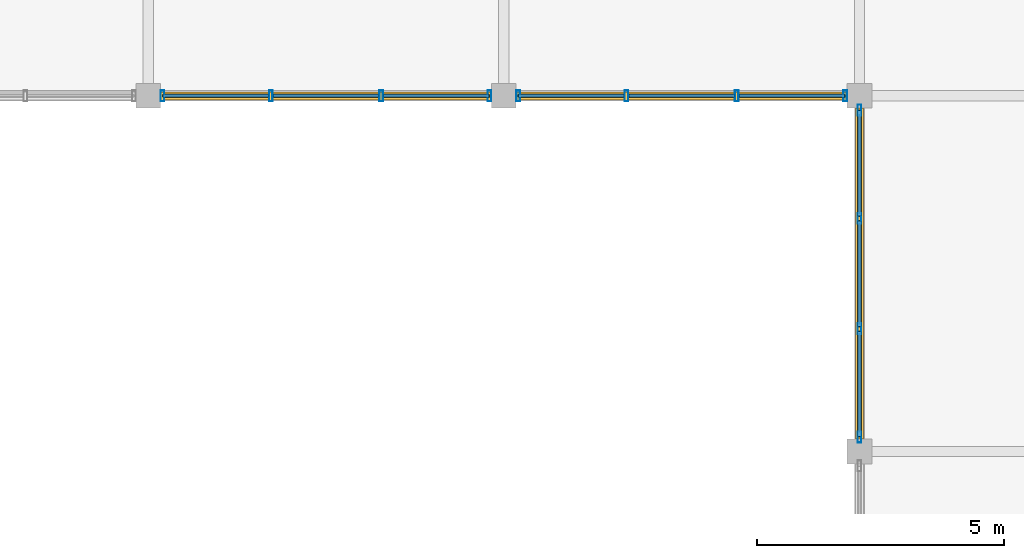
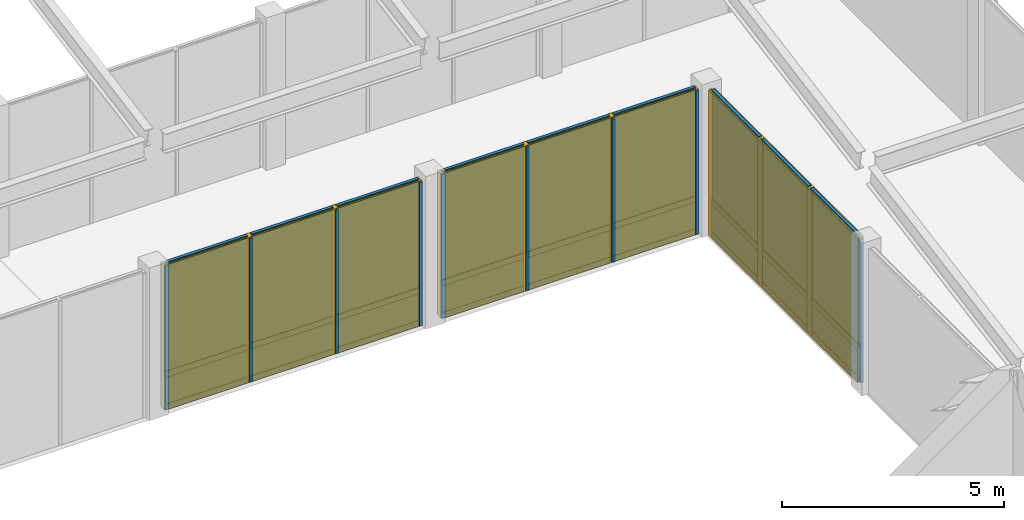
# One storey, part 11 of 16: 39 members, 18 plates, 3 curtain walls.
"""IFC4 building model written with IfcOpenShell, lengths in metres."""

from ifc_helpers import new_model, si_unit, direction, frame, origin, origin_2d, place, context, subcontext, project, spatial, rectangle, hollow_rectangle, extrude, material, layer, layer_set, material_profile, profile_set, type_object, element, aggregate, save


model = new_model("IFC4")

# Units and contexts
model_context = context("Model", 3, precision=1e-05, world=origin(), true_north=direction((0.0, 1.0)))
body_context = subcontext(model_context, "Body", "Model", "MODEL_VIEW")
ifc_project = project(units=[si_unit("LENGTHUNIT", "METRE"), si_unit("AREAUNIT", "SQUARE_METRE"), si_unit("VOLUMEUNIT", "CUBIC_METRE"), si_unit("PLANEANGLEUNIT", "RADIAN"), si_unit("MASSUNIT", "GRAM", prefix="KILO")], contexts=[model_context])

# Member
ifc_material_1 = material(Name="Anodized Aluminium 6063-T6", Category="aluminium")
ifc_material_profile_1 = material_profile(ifc_material_1, hollow_rectangle(XDim=0.074951171875, YDim=0.219970703125, WallThickness=0.0048828125, at=origin_2d()), Name="ALU 75x220x5")
ifc_profile_set_1 = profile_set([ifc_material_profile_1], Name="Anodized Aluminium 6063-T6")
member_type_1 = type_object("IfcMemberType", Name="CWM-75X180", PredefinedType="MULLION", material=ifc_profile_set_1)
site_placement = place(None, origin())
building_placement = place(site_placement, origin())
storey_placement = place(building_placement, frame((0.0, 0.0, 25.800048828125)))
member_1_placement = place(storey_placement, frame((86.110107421875, 108.0, 0.02001953125), z_axis=(0.0, 0.0, 1.0), x_axis=(1.0, 0.0, 0.0)))
member_1 = element("IfcMember", 1, at=member_1_placement, type_object=member_type_1, Name="Curtain wall mullion CW-L07-11-15-S-00", PredefinedType="MULLION", context=body_context, shape_type="SweptSolid", body=[
    extrude(hollow_rectangle(XDim=0.074951171875, YDim=0.219970703125, WallThickness=0.0048828125, at=origin_2d()), origin(), (0.0, 0.0, 1.0), 3.9599609375),
])

member_2_placement = place(storey_placement, frame((83.916748046875, 108.0, 0.02001953125), z_axis=(0.0, 0.0, 1.0), x_axis=(1.0, 0.0, 0.0)))
member_2 = element("IfcMember", 2, at=member_2_placement, type_object=member_type_1, Name="Curtain wall mullion CW-L07-11-15-S-01", PredefinedType="MULLION", context=body_context, shape_type="SweptSolid", body=[
    extrude(hollow_rectangle(XDim=0.074951171875, YDim=0.219970703125, WallThickness=0.0048828125, at=origin_2d()), origin(), (0.0, 0.0, 1.0), 3.9599609375),
])

member_3_placement = place(storey_placement, frame((81.683349609375, 108.0, 0.02001953125), z_axis=(0.0, 0.0, 1.0), x_axis=(1.0, 0.0, 0.0)))
member_3 = element("IfcMember", 3, at=member_3_placement, type_object=member_type_1, Name="Curtain wall mullion CW-L07-11-15-S-02", PredefinedType="MULLION", context=body_context, shape_type="SweptSolid", body=[
    extrude(hollow_rectangle(XDim=0.074951171875, YDim=0.219970703125, WallThickness=0.0048828125, at=origin_2d()), origin(), (0.0, 0.0, 1.0), 3.9599609375),
])

member_4_placement = place(storey_placement, frame((79.489990234375, 108.0, 0.02001953125), z_axis=(0.0, 0.0, 1.0), x_axis=(1.0, 0.0, 0.0)))
member_4 = element("IfcMember", 4, at=member_4_placement, type_object=member_type_1, Name="Curtain wall mullion CW-L07-11-15-S-03", PredefinedType="MULLION", context=body_context, shape_type="SweptSolid", body=[
    extrude(hollow_rectangle(XDim=0.074951171875, YDim=0.219970703125, WallThickness=0.0048828125, at=origin_2d()), origin(), (0.0, 0.0, 1.0), 3.9599609375),
])

member_5_placement = place(storey_placement, frame((93.31005859375, 108.0, 0.02001953125), z_axis=(0.0, 0.0, 1.0), x_axis=(1.0, 0.0, 0.0)))
member_5 = element("IfcMember", 5, at=member_5_placement, type_object=member_type_1, Name="Curtain wall mullion CW-L07-12-15-S-00", PredefinedType="MULLION", context=body_context, shape_type="SweptSolid", body=[
    extrude(hollow_rectangle(XDim=0.074951171875, YDim=0.219970703125, WallThickness=0.0048828125, at=origin_2d()), origin(), (0.0, 0.0, 1.0), 3.9599609375),
])

member_6_placement = place(storey_placement, frame((91.11669921875, 108.0, 0.02001953125), z_axis=(0.0, 0.0, 1.0), x_axis=(1.0, 0.0, 0.0)))
member_6 = element("IfcMember", 6, at=member_6_placement, type_object=member_type_1, Name="Curtain wall mullion CW-L07-12-15-S-01", PredefinedType="MULLION", context=body_context, shape_type="SweptSolid", body=[
    extrude(hollow_rectangle(XDim=0.074951171875, YDim=0.219970703125, WallThickness=0.0048828125, at=origin_2d()), origin(), (0.0, 0.0, 1.0), 3.9599609375),
])

member_7_placement = place(storey_placement, frame((88.88330078125, 108.0, 0.02001953125), z_axis=(0.0, 0.0, 1.0), x_axis=(1.0, 0.0, 0.0)))
member_7 = element("IfcMember", 7, at=member_7_placement, type_object=member_type_1, Name="Curtain wall mullion CW-L07-12-15-S-02", PredefinedType="MULLION", context=body_context, shape_type="SweptSolid", body=[
    extrude(hollow_rectangle(XDim=0.074951171875, YDim=0.219970703125, WallThickness=0.0048828125, at=origin_2d()), origin(), (0.0, 0.0, 1.0), 3.9599609375),
])

member_8_placement = place(storey_placement, frame((86.68994140625, 108.0, 0.02001953125), z_axis=(0.0, 0.0, 1.0), x_axis=(1.0, 0.0, 0.0)))
member_8 = element("IfcMember", 8, at=member_8_placement, type_object=member_type_1, Name="Curtain wall mullion CW-L07-12-15-S-03", PredefinedType="MULLION", context=body_context, shape_type="SweptSolid", body=[
    extrude(hollow_rectangle(XDim=0.074951171875, YDim=0.219970703125, WallThickness=0.0048828125, at=origin_2d()), origin(), (0.0, 0.0, 1.0), 3.9599609375),
])

member_9_placement = place(storey_placement, frame((93.60009765625, 101.090087890625, 0.02001953125), z_axis=(0.0, 0.0, 1.0), x_axis=(1.0, 0.0, 0.0)))
member_9 = element("IfcMember", 9, at=member_9_placement, type_object=member_type_1, Name="Curtain wall mullion CW-L07-13-14-W-00", PredefinedType="MULLION", context=body_context, shape_type="SweptSolid", body=[
    extrude(hollow_rectangle(XDim=0.074951171875, YDim=0.219970703125, WallThickness=0.0048828125, at=origin_2d()), origin(), (0.0, 0.0, 1.0), 3.9599609375),
])

member_10_placement = place(storey_placement, frame((93.60009765625, 103.283203125, 0.02001953125), z_axis=(0.0, 0.0, 1.0), x_axis=(1.0, 0.0, 0.0)))
member_10 = element("IfcMember", 10, at=member_10_placement, type_object=member_type_1, Name="Curtain wall mullion CW-L07-13-14-W-01", PredefinedType="MULLION", context=body_context, shape_type="SweptSolid", body=[
    extrude(hollow_rectangle(XDim=0.074951171875, YDim=0.219970703125, WallThickness=0.0048828125, at=origin_2d()), origin(), (0.0, 0.0, 1.0), 3.9599609375),
])

member_11_placement = place(storey_placement, frame((93.60009765625, 105.5166015625, 0.02001953125), z_axis=(0.0, 0.0, 1.0), x_axis=(1.0, 0.0, 0.0)))
member_11 = element("IfcMember", 11, at=member_11_placement, type_object=member_type_1, Name="Curtain wall mullion CW-L07-13-14-W-02", PredefinedType="MULLION", context=body_context, shape_type="SweptSolid", body=[
    extrude(hollow_rectangle(XDim=0.074951171875, YDim=0.219970703125, WallThickness=0.0048828125, at=origin_2d()), origin(), (0.0, 0.0, 1.0), 3.9599609375),
])

member_12_placement = place(storey_placement, frame((93.60009765625, 107.7099609375, 0.02001953125), z_axis=(0.0, 0.0, 1.0), x_axis=(1.0, 0.0, 0.0)))
member_12 = element("IfcMember", 12, at=member_12_placement, type_object=member_type_1, Name="Curtain wall mullion CW-L07-13-14-W-03", PredefinedType="MULLION", context=body_context, shape_type="SweptSolid", body=[
    extrude(hollow_rectangle(XDim=0.074951171875, YDim=0.219970703125, WallThickness=0.0048828125, at=origin_2d()), origin(), (0.0, 0.0, 1.0), 3.9599609375),
])

ifc_material_profile_2 = material_profile(ifc_material_1, hollow_rectangle(XDim=0.074951171875, YDim=0.159912109375, WallThickness=0.00390625, at=origin_2d()), Name="ALU 75x160x4")
ifc_profile_set_2 = profile_set([ifc_material_profile_2], Name="Anodized Aluminium 6063-T6")
member_type_2 = type_object("IfcMemberType", Name="CWT-75X150", PredefinedType="USERDEFINED", material=ifc_profile_set_2)
member_13_placement = place(storey_placement, frame((86.10009765625, 108.0, 0.050048828125), z_axis=(-1.0, 0.0, 0.0), x_axis=(0.0, -1.0, 0.0)))
member_13 = element("IfcMember", 13, at=member_13_placement, type_object=member_type_2, Name="Curtain wall transom CW-L07-11-15-S-1.01", ObjectType="TRANSOM", PredefinedType="USERDEFINED", context=body_context, shape_type="SweptSolid", body=[
    extrude(hollow_rectangle(XDim=0.074951171875, YDim=0.159912109375, WallThickness=0.00390625, at=origin_2d()), origin(), (0.0, 0.0, 1.0), 2.13330078125),
])

member_14_placement = place(storey_placement, frame((83.86669921875, 108.0, 0.050048828125), z_axis=(-1.0, 0.0, 0.0), x_axis=(0.0, -1.0, 0.0)))
member_14 = element("IfcMember", 14, at=member_14_placement, type_object=member_type_2, Name="Curtain wall transom CW-L07-11-15-S-1.02", ObjectType="TRANSOM", PredefinedType="USERDEFINED", context=body_context, shape_type="SweptSolid", body=[
    extrude(hollow_rectangle(XDim=0.074951171875, YDim=0.159912109375, WallThickness=0.00390625, at=origin_2d()), origin(), (0.0, 0.0, 1.0), 2.13330078125),
])

member_15_placement = place(storey_placement, frame((81.63330078125, 108.0, 0.050048828125), z_axis=(-1.0, 0.0, 0.0), x_axis=(0.0, -1.0, 0.0)))
member_15 = element("IfcMember", 15, at=member_15_placement, type_object=member_type_2, Name="Curtain wall transom CW-L07-11-15-S-1.03", ObjectType="TRANSOM", PredefinedType="USERDEFINED", context=body_context, shape_type="SweptSolid", body=[
    extrude(hollow_rectangle(XDim=0.074951171875, YDim=0.159912109375, WallThickness=0.00390625, at=origin_2d()), origin(), (0.0, 0.0, 1.0), 2.13330078125),
])

member_16_placement = place(storey_placement, frame((86.10009765625, 108.0, 0.949951171875), z_axis=(-1.0, 0.0, 0.0), x_axis=(0.0, -1.0, 0.0)))
member_16 = element("IfcMember", 16, at=member_16_placement, type_object=member_type_2, Name="Curtain wall transom CW-L07-11-15-S-2.01", ObjectType="TRANSOM", PredefinedType="USERDEFINED", context=body_context, shape_type="SweptSolid", body=[
    extrude(hollow_rectangle(XDim=0.074951171875, YDim=0.159912109375, WallThickness=0.00390625, at=origin_2d()), origin(), (0.0, 0.0, 1.0), 2.13330078125),
])

member_17_placement = place(storey_placement, frame((83.86669921875, 108.0, 0.949951171875), z_axis=(-1.0, 0.0, 0.0), x_axis=(0.0, -1.0, 0.0)))
member_17 = element("IfcMember", 17, at=member_17_placement, type_object=member_type_2, Name="Curtain wall transom CW-L07-11-15-S-2.02", ObjectType="TRANSOM", PredefinedType="USERDEFINED", context=body_context, shape_type="SweptSolid", body=[
    extrude(hollow_rectangle(XDim=0.074951171875, YDim=0.159912109375, WallThickness=0.00390625, at=origin_2d()), origin(), (0.0, 0.0, 1.0), 2.13330078125),
])

member_18_placement = place(storey_placement, frame((81.63330078125, 108.0, 0.949951171875), z_axis=(-1.0, 0.0, 0.0), x_axis=(0.0, -1.0, 0.0)))
member_18 = element("IfcMember", 18, at=member_18_placement, type_object=member_type_2, Name="Curtain wall transom CW-L07-11-15-S-2.03", ObjectType="TRANSOM", PredefinedType="USERDEFINED", context=body_context, shape_type="SweptSolid", body=[
    extrude(hollow_rectangle(XDim=0.074951171875, YDim=0.159912109375, WallThickness=0.00390625, at=origin_2d()), origin(), (0.0, 0.0, 1.0), 2.13330078125),
])

member_19_placement = place(storey_placement, frame((86.10009765625, 108.0, 3.949951171875), z_axis=(-1.0, 0.0, 0.0), x_axis=(0.0, -1.0, 0.0)))
member_19 = element("IfcMember", 19, at=member_19_placement, type_object=member_type_2, Name="Curtain wall transom CW-L07-11-15-S-3.01", ObjectType="TRANSOM", PredefinedType="USERDEFINED", context=body_context, shape_type="SweptSolid", body=[
    extrude(hollow_rectangle(XDim=0.074951171875, YDim=0.159912109375, WallThickness=0.00390625, at=origin_2d()), origin(), (0.0, 0.0, 1.0), 2.13330078125),
])

member_20_placement = place(storey_placement, frame((83.86669921875, 108.0, 3.949951171875), z_axis=(-1.0, 0.0, 0.0), x_axis=(0.0, -1.0, 0.0)))
member_20 = element("IfcMember", 20, at=member_20_placement, type_object=member_type_2, Name="Curtain wall transom CW-L07-11-15-S-3.02", ObjectType="TRANSOM", PredefinedType="USERDEFINED", context=body_context, shape_type="SweptSolid", body=[
    extrude(hollow_rectangle(XDim=0.074951171875, YDim=0.159912109375, WallThickness=0.00390625, at=origin_2d()), origin(), (0.0, 0.0, 1.0), 2.13330078125),
])

member_21_placement = place(storey_placement, frame((81.63330078125, 108.0, 3.949951171875), z_axis=(-1.0, 0.0, 0.0), x_axis=(0.0, -1.0, 0.0)))
member_21 = element("IfcMember", 21, at=member_21_placement, type_object=member_type_2, Name="Curtain wall transom CW-L07-11-15-S-3.03", ObjectType="TRANSOM", PredefinedType="USERDEFINED", context=body_context, shape_type="SweptSolid", body=[
    extrude(hollow_rectangle(XDim=0.074951171875, YDim=0.159912109375, WallThickness=0.00390625, at=origin_2d()), origin(), (0.0, 0.0, 1.0), 2.13330078125),
])

member_22_placement = place(storey_placement, frame((93.300048828125, 108.0, 0.050048828125), z_axis=(-1.0, 0.0, 0.0), x_axis=(0.0, -1.0, 0.0)))
member_22 = element("IfcMember", 22, at=member_22_placement, type_object=member_type_2, Name="Curtain wall transom CW-L07-12-15-S-1.01", ObjectType="TRANSOM", PredefinedType="USERDEFINED", context=body_context, shape_type="SweptSolid", body=[
    extrude(hollow_rectangle(XDim=0.074951171875, YDim=0.159912109375, WallThickness=0.00390625, at=origin_2d()), origin(), (0.0, 0.0, 1.0), 2.13330078125),
])

member_23_placement = place(storey_placement, frame((91.066650390625, 108.0, 0.050048828125), z_axis=(-1.0, 0.0, 0.0), x_axis=(0.0, -1.0, 0.0)))
member_23 = element("IfcMember", 23, at=member_23_placement, type_object=member_type_2, Name="Curtain wall transom CW-L07-12-15-S-1.02", ObjectType="TRANSOM", PredefinedType="USERDEFINED", context=body_context, shape_type="SweptSolid", body=[
    extrude(hollow_rectangle(XDim=0.074951171875, YDim=0.159912109375, WallThickness=0.00390625, at=origin_2d()), origin(), (0.0, 0.0, 1.0), 2.13330078125),
])

member_24_placement = place(storey_placement, frame((88.833251953125, 108.0, 0.050048828125), z_axis=(-1.0, 0.0, 0.0), x_axis=(0.0, -1.0, 0.0)))
member_24 = element("IfcMember", 24, at=member_24_placement, type_object=member_type_2, Name="Curtain wall transom CW-L07-12-15-S-1.03", ObjectType="TRANSOM", PredefinedType="USERDEFINED", context=body_context, shape_type="SweptSolid", body=[
    extrude(hollow_rectangle(XDim=0.074951171875, YDim=0.159912109375, WallThickness=0.00390625, at=origin_2d()), origin(), (0.0, 0.0, 1.0), 2.13330078125),
])

member_25_placement = place(storey_placement, frame((93.300048828125, 108.0, 0.949951171875), z_axis=(-1.0, 0.0, 0.0), x_axis=(0.0, -1.0, 0.0)))
member_25 = element("IfcMember", 25, at=member_25_placement, type_object=member_type_2, Name="Curtain wall transom CW-L07-12-15-S-2.01", ObjectType="TRANSOM", PredefinedType="USERDEFINED", context=body_context, shape_type="SweptSolid", body=[
    extrude(hollow_rectangle(XDim=0.074951171875, YDim=0.159912109375, WallThickness=0.00390625, at=origin_2d()), origin(), (0.0, 0.0, 1.0), 2.13330078125),
])

member_26_placement = place(storey_placement, frame((91.066650390625, 108.0, 0.949951171875), z_axis=(-1.0, 0.0, 0.0), x_axis=(0.0, -1.0, 0.0)))
member_26 = element("IfcMember", 26, at=member_26_placement, type_object=member_type_2, Name="Curtain wall transom CW-L07-12-15-S-2.02", ObjectType="TRANSOM", PredefinedType="USERDEFINED", context=body_context, shape_type="SweptSolid", body=[
    extrude(hollow_rectangle(XDim=0.074951171875, YDim=0.159912109375, WallThickness=0.00390625, at=origin_2d()), origin(), (0.0, 0.0, 1.0), 2.13330078125),
])

member_27_placement = place(storey_placement, frame((88.833251953125, 108.0, 0.949951171875), z_axis=(-1.0, 0.0, 0.0), x_axis=(0.0, -1.0, 0.0)))
member_27 = element("IfcMember", 27, at=member_27_placement, type_object=member_type_2, Name="Curtain wall transom CW-L07-12-15-S-2.03", ObjectType="TRANSOM", PredefinedType="USERDEFINED", context=body_context, shape_type="SweptSolid", body=[
    extrude(hollow_rectangle(XDim=0.074951171875, YDim=0.159912109375, WallThickness=0.00390625, at=origin_2d()), origin(), (0.0, 0.0, 1.0), 2.13330078125),
])

member_28_placement = place(storey_placement, frame((93.300048828125, 108.0, 3.949951171875), z_axis=(-1.0, 0.0, 0.0), x_axis=(0.0, -1.0, 0.0)))
member_28 = element("IfcMember", 28, at=member_28_placement, type_object=member_type_2, Name="Curtain wall transom CW-L07-12-15-S-3.01", ObjectType="TRANSOM", PredefinedType="USERDEFINED", context=body_context, shape_type="SweptSolid", body=[
    extrude(hollow_rectangle(XDim=0.074951171875, YDim=0.159912109375, WallThickness=0.00390625, at=origin_2d()), origin(), (0.0, 0.0, 1.0), 2.13330078125),
])

member_29_placement = place(storey_placement, frame((91.066650390625, 108.0, 3.949951171875), z_axis=(-1.0, 0.0, 0.0), x_axis=(0.0, -1.0, 0.0)))
member_29 = element("IfcMember", 29, at=member_29_placement, type_object=member_type_2, Name="Curtain wall transom CW-L07-12-15-S-3.02", ObjectType="TRANSOM", PredefinedType="USERDEFINED", context=body_context, shape_type="SweptSolid", body=[
    extrude(hollow_rectangle(XDim=0.074951171875, YDim=0.159912109375, WallThickness=0.00390625, at=origin_2d()), origin(), (0.0, 0.0, 1.0), 2.13330078125),
])

member_30_placement = place(storey_placement, frame((88.833251953125, 108.0, 3.949951171875), z_axis=(-1.0, 0.0, 0.0), x_axis=(0.0, -1.0, 0.0)))
member_30 = element("IfcMember", 30, at=member_30_placement, type_object=member_type_2, Name="Curtain wall transom CW-L07-12-15-S-3.03", ObjectType="TRANSOM", PredefinedType="USERDEFINED", context=body_context, shape_type="SweptSolid", body=[
    extrude(hollow_rectangle(XDim=0.074951171875, YDim=0.159912109375, WallThickness=0.00390625, at=origin_2d()), origin(), (0.0, 0.0, 1.0), 2.13330078125),
])

member_31_placement = place(storey_placement, frame((93.60009765625, 101.10009765625, 0.050048828125), z_axis=(0.0, 1.0, 0.0), x_axis=(-1.0, 0.0, 0.0)))
member_31 = element("IfcMember", 31, at=member_31_placement, type_object=member_type_2, Name="Curtain wall transom CW-L07-13-14-W-1.01", ObjectType="TRANSOM", PredefinedType="USERDEFINED", context=body_context, shape_type="SweptSolid", body=[
    extrude(hollow_rectangle(XDim=0.074951171875, YDim=0.159912109375, WallThickness=0.00390625, at=origin_2d()), origin(), (0.0, 0.0, 1.0), 2.13330078125),
])

member_32_placement = place(storey_placement, frame((93.60009765625, 103.333251953125, 0.050048828125), z_axis=(0.0, 1.0, 0.0), x_axis=(-1.0, 0.0, 0.0)))
member_32 = element("IfcMember", 32, at=member_32_placement, type_object=member_type_2, Name="Curtain wall transom CW-L07-13-14-W-1.02", ObjectType="TRANSOM", PredefinedType="USERDEFINED", context=body_context, shape_type="SweptSolid", body=[
    extrude(hollow_rectangle(XDim=0.074951171875, YDim=0.159912109375, WallThickness=0.00390625, at=origin_2d()), origin(), (0.0, 0.0, 1.0), 2.133544921875),
])

member_33_placement = place(storey_placement, frame((93.60009765625, 105.566650390625, 0.050048828125), z_axis=(0.0, 1.0, 0.0), x_axis=(-1.0, 0.0, 0.0)))
member_33 = element("IfcMember", 33, at=member_33_placement, type_object=member_type_2, Name="Curtain wall transom CW-L07-13-14-W-1.03", ObjectType="TRANSOM", PredefinedType="USERDEFINED", context=body_context, shape_type="SweptSolid", body=[
    extrude(hollow_rectangle(XDim=0.074951171875, YDim=0.159912109375, WallThickness=0.00390625, at=origin_2d()), origin(), (0.0, 0.0, 1.0), 2.13330078125),
])

member_34_placement = place(storey_placement, frame((93.60009765625, 101.10009765625, 0.949951171875), z_axis=(0.0, 1.0, 0.0), x_axis=(-1.0, 0.0, 0.0)))
member_34 = element("IfcMember", 34, at=member_34_placement, type_object=member_type_2, Name="Curtain wall transom CW-L07-13-14-W-2.01", ObjectType="TRANSOM", PredefinedType="USERDEFINED", context=body_context, shape_type="SweptSolid", body=[
    extrude(hollow_rectangle(XDim=0.074951171875, YDim=0.159912109375, WallThickness=0.00390625, at=origin_2d()), origin(), (0.0, 0.0, 1.0), 2.13330078125),
])

member_35_placement = place(storey_placement, frame((93.60009765625, 103.333251953125, 0.949951171875), z_axis=(0.0, 1.0, 0.0), x_axis=(-1.0, 0.0, 0.0)))
member_35 = element("IfcMember", 35, at=member_35_placement, type_object=member_type_2, Name="Curtain wall transom CW-L07-13-14-W-2.02", ObjectType="TRANSOM", PredefinedType="USERDEFINED", context=body_context, shape_type="SweptSolid", body=[
    extrude(hollow_rectangle(XDim=0.074951171875, YDim=0.159912109375, WallThickness=0.00390625, at=origin_2d()), origin(), (0.0, 0.0, 1.0), 2.133544921875),
])

member_36_placement = place(storey_placement, frame((93.60009765625, 105.566650390625, 0.949951171875), z_axis=(0.0, 1.0, 0.0), x_axis=(-1.0, 0.0, 0.0)))
member_36 = element("IfcMember", 36, at=member_36_placement, type_object=member_type_2, Name="Curtain wall transom CW-L07-13-14-W-2.03", ObjectType="TRANSOM", PredefinedType="USERDEFINED", context=body_context, shape_type="SweptSolid", body=[
    extrude(hollow_rectangle(XDim=0.074951171875, YDim=0.159912109375, WallThickness=0.00390625, at=origin_2d()), origin(), (0.0, 0.0, 1.0), 2.13330078125),
])

member_37_placement = place(storey_placement, frame((93.60009765625, 101.10009765625, 3.949951171875), z_axis=(0.0, 1.0, 0.0), x_axis=(-1.0, 0.0, 0.0)))
member_37 = element("IfcMember", 37, at=member_37_placement, type_object=member_type_2, Name="Curtain wall transom CW-L07-13-14-W-3.01", ObjectType="TRANSOM", PredefinedType="USERDEFINED", context=body_context, shape_type="SweptSolid", body=[
    extrude(hollow_rectangle(XDim=0.074951171875, YDim=0.159912109375, WallThickness=0.00390625, at=origin_2d()), origin(), (0.0, 0.0, 1.0), 2.13330078125),
])

member_38_placement = place(storey_placement, frame((93.60009765625, 103.333251953125, 3.949951171875), z_axis=(0.0, 1.0, 0.0), x_axis=(-1.0, 0.0, 0.0)))
member_38 = element("IfcMember", 38, at=member_38_placement, type_object=member_type_2, Name="Curtain wall transom CW-L07-13-14-W-3.02", ObjectType="TRANSOM", PredefinedType="USERDEFINED", context=body_context, shape_type="SweptSolid", body=[
    extrude(hollow_rectangle(XDim=0.074951171875, YDim=0.159912109375, WallThickness=0.00390625, at=origin_2d()), origin(), (0.0, 0.0, 1.0), 2.133544921875),
])

member_39_placement = place(storey_placement, frame((93.60009765625, 105.566650390625, 3.949951171875), z_axis=(0.0, 1.0, 0.0), x_axis=(-1.0, 0.0, 0.0)))
member_39 = element("IfcMember", 39, at=member_39_placement, type_object=member_type_2, Name="Curtain wall transom CW-L07-13-14-W-3.03", ObjectType="TRANSOM", PredefinedType="USERDEFINED", context=body_context, shape_type="SweptSolid", body=[
    extrude(hollow_rectangle(XDim=0.074951171875, YDim=0.159912109375, WallThickness=0.00390625, at=origin_2d()), origin(), (0.0, 0.0, 1.0), 2.13330078125),
])

# Plate
ifc_material_2 = material(Name="Acoustic Laminated Low-E Glazing", Category="glass")
ifc_layer_1 = layer(ifc_material_2, 0.0439453125)
ifc_layer_set_1 = layer_set([ifc_layer_1], Name="Acoustic Laminated Low-E Glazing")
plate_type_1 = type_object("IfcPlateType", Name="CWP-IGU-44", PredefinedType="CURTAIN_PANEL", material=ifc_layer_set_1)
plate_1_placement = place(storey_placement, frame((85.033203125, 108.0, 0.98974609375), z_axis=(0.0, 0.0, 1.0), x_axis=(-1.0, 0.0, 0.0)))
plate_1 = element("IfcPlate", 40, at=plate_1_placement, type_object=plate_type_1, Name="Curtain wall vision glazing CW-L07-11-15-S-01", PredefinedType="CURTAIN_PANEL", context=body_context, shape_type="SweptSolid", body=[
    extrude(rectangle(XDim=2.143310546875, YDim=0.0400390625, at=origin_2d()), origin(), (0.0, 0.0, 1.0), 2.949951171875),
])

plate_2_placement = place(storey_placement, frame((82.800048828125, 108.0, 0.98974609375), z_axis=(0.0, 0.0, 1.0), x_axis=(-1.0, 0.0, 0.0)))
plate_2 = element("IfcPlate", 41, at=plate_2_placement, type_object=plate_type_1, Name="Curtain wall vision glazing CW-L07-11-15-S-02", PredefinedType="CURTAIN_PANEL", context=body_context, shape_type="SweptSolid", body=[
    extrude(rectangle(XDim=2.143310546875, YDim=0.0400390625, at=origin_2d()), origin(), (0.0, 0.0, 1.0), 2.949951171875),
])

plate_3_placement = place(storey_placement, frame((80.566650390625, 108.0, 0.98974609375), z_axis=(0.0, 0.0, 1.0), x_axis=(-1.0, 0.0, 0.0)))
plate_3 = element("IfcPlate", 42, at=plate_3_placement, type_object=plate_type_1, Name="Curtain wall vision glazing CW-L07-11-15-S-03", PredefinedType="CURTAIN_PANEL", context=body_context, shape_type="SweptSolid", body=[
    extrude(rectangle(XDim=2.143310546875, YDim=0.0400390625, at=origin_2d()), origin(), (0.0, 0.0, 1.0), 2.949951171875),
])

plate_4_placement = place(storey_placement, frame((92.2333984375, 108.0, 0.98974609375), z_axis=(0.0, 0.0, 1.0), x_axis=(-1.0, 0.0, 0.0)))
plate_4 = element("IfcPlate", 43, at=plate_4_placement, type_object=plate_type_1, Name="Curtain wall vision glazing CW-L07-12-15-S-01", PredefinedType="CURTAIN_PANEL", context=body_context, shape_type="SweptSolid", body=[
    extrude(rectangle(XDim=2.143310546875, YDim=0.0400390625, at=origin_2d()), origin(), (0.0, 0.0, 1.0), 2.949951171875),
])

plate_5_placement = place(storey_placement, frame((90.0, 108.0, 0.98974609375), z_axis=(0.0, 0.0, 1.0), x_axis=(-1.0, 0.0, 0.0)))
plate_5 = element("IfcPlate", 44, at=plate_5_placement, type_object=plate_type_1, Name="Curtain wall vision glazing CW-L07-12-15-S-02", PredefinedType="CURTAIN_PANEL", context=body_context, shape_type="SweptSolid", body=[
    extrude(rectangle(XDim=2.143310546875, YDim=0.0400390625, at=origin_2d()), origin(), (0.0, 0.0, 1.0), 2.949951171875),
])

plate_6_placement = place(storey_placement, frame((87.7666015625, 108.0, 0.98974609375), z_axis=(0.0, 0.0, 1.0), x_axis=(-1.0, 0.0, 0.0)))
plate_6 = element("IfcPlate", 45, at=plate_6_placement, type_object=plate_type_1, Name="Curtain wall vision glazing CW-L07-12-15-S-03", PredefinedType="CURTAIN_PANEL", context=body_context, shape_type="SweptSolid", body=[
    extrude(rectangle(XDim=2.143310546875, YDim=0.0400390625, at=origin_2d()), origin(), (0.0, 0.0, 1.0), 2.949951171875),
])

plate_7_placement = place(storey_placement, frame((93.60009765625, 102.166748046875, 0.98974609375), z_axis=(0.0, 0.0, 1.0), x_axis=(0.0, 1.0, 0.0)))
plate_7 = element("IfcPlate", 46, at=plate_7_placement, type_object=plate_type_1, Name="Curtain wall vision glazing CW-L07-13-14-W-01", PredefinedType="CURTAIN_PANEL", context=body_context, shape_type="SweptSolid", body=[
    extrude(rectangle(XDim=2.143310546875, YDim=0.0400390625, at=origin_2d()), origin(), (0.0, 0.0, 1.0), 2.949951171875),
])

plate_8_placement = place(storey_placement, frame((93.60009765625, 104.39990234375, 0.98974609375), z_axis=(0.0, 0.0, 1.0), x_axis=(0.0, 1.0, 0.0)))
plate_8 = element("IfcPlate", 47, at=plate_8_placement, type_object=plate_type_1, Name="Curtain wall vision glazing CW-L07-13-14-W-02", PredefinedType="CURTAIN_PANEL", context=body_context, shape_type="SweptSolid", body=[
    extrude(rectangle(XDim=2.143310546875, YDim=0.0400390625, at=origin_2d()), origin(), (0.0, 0.0, 1.0), 2.949951171875),
])

plate_9_placement = place(storey_placement, frame((93.60009765625, 106.63330078125, 0.98974609375), z_axis=(0.0, 0.0, 1.0), x_axis=(0.0, 1.0, 0.0)))
plate_9 = element("IfcPlate", 48, at=plate_9_placement, type_object=plate_type_1, Name="Curtain wall vision glazing CW-L07-13-14-W-03", PredefinedType="CURTAIN_PANEL", context=body_context, shape_type="SweptSolid", body=[
    extrude(rectangle(XDim=2.143310546875, YDim=0.0400390625, at=origin_2d()), origin(), (0.0, 0.0, 1.0), 2.949951171875),
])

ifc_material_3 = material(Name="Insulated Stone-Composite Spandrel", Category="masonry")
ifc_layer_2 = layer(ifc_material_3, 0.068115234375)
ifc_layer_set_2 = layer_set([ifc_layer_2], Name="Insulated Stone-Composite Spandrel")
plate_type_2 = type_object("IfcPlateType", Name="CWP-SPN-68", PredefinedType="CURTAIN_PANEL", material=ifc_layer_set_2)
plate_10_placement = place(storey_placement, frame((85.033203125, 108.0, 0.080078125), z_axis=(0.0, 0.0, 1.0), x_axis=(-1.0, 0.0, 0.0)))
plate_10 = element("IfcPlate", 49, at=plate_10_placement, type_object=plate_type_2, Name="Curtain wall spandrel panel CW-L07-11-15-S-01", PredefinedType="CURTAIN_PANEL", context=body_context, shape_type="SweptSolid", body=[
    extrude(rectangle(XDim=2.143310546875, YDim=0.06005859375, at=origin_2d()), origin(), (0.0, 0.0, 1.0), 0.840087890625),
])

plate_11_placement = place(storey_placement, frame((82.800048828125, 108.0, 0.080078125), z_axis=(0.0, 0.0, 1.0), x_axis=(-1.0, 0.0, 0.0)))
plate_11 = element("IfcPlate", 50, at=plate_11_placement, type_object=plate_type_2, Name="Curtain wall spandrel panel CW-L07-11-15-S-02", PredefinedType="CURTAIN_PANEL", context=body_context, shape_type="SweptSolid", body=[
    extrude(rectangle(XDim=2.143310546875, YDim=0.06005859375, at=origin_2d()), origin(), (0.0, 0.0, 1.0), 0.840087890625),
])

plate_12_placement = place(storey_placement, frame((80.566650390625, 108.0, 0.080078125), z_axis=(0.0, 0.0, 1.0), x_axis=(-1.0, 0.0, 0.0)))
plate_12 = element("IfcPlate", 51, at=plate_12_placement, type_object=plate_type_2, Name="Curtain wall spandrel panel CW-L07-11-15-S-03", PredefinedType="CURTAIN_PANEL", context=body_context, shape_type="SweptSolid", body=[
    extrude(rectangle(XDim=2.143310546875, YDim=0.06005859375, at=origin_2d()), origin(), (0.0, 0.0, 1.0), 0.840087890625),
])

plate_13_placement = place(storey_placement, frame((92.2333984375, 108.0, 0.080078125), z_axis=(0.0, 0.0, 1.0), x_axis=(-1.0, 0.0, 0.0)))
plate_13 = element("IfcPlate", 52, at=plate_13_placement, type_object=plate_type_2, Name="Curtain wall spandrel panel CW-L07-12-15-S-01", PredefinedType="CURTAIN_PANEL", context=body_context, shape_type="SweptSolid", body=[
    extrude(rectangle(XDim=2.143310546875, YDim=0.06005859375, at=origin_2d()), origin(), (0.0, 0.0, 1.0), 0.840087890625),
])

plate_14_placement = place(storey_placement, frame((90.0, 108.0, 0.080078125), z_axis=(0.0, 0.0, 1.0), x_axis=(-1.0, 0.0, 0.0)))
plate_14 = element("IfcPlate", 53, at=plate_14_placement, type_object=plate_type_2, Name="Curtain wall spandrel panel CW-L07-12-15-S-02", PredefinedType="CURTAIN_PANEL", context=body_context, shape_type="SweptSolid", body=[
    extrude(rectangle(XDim=2.143310546875, YDim=0.06005859375, at=origin_2d()), origin(), (0.0, 0.0, 1.0), 0.840087890625),
])

plate_15_placement = place(storey_placement, frame((87.7666015625, 108.0, 0.080078125), z_axis=(0.0, 0.0, 1.0), x_axis=(-1.0, 0.0, 0.0)))
plate_15 = element("IfcPlate", 54, at=plate_15_placement, type_object=plate_type_2, Name="Curtain wall spandrel panel CW-L07-12-15-S-03", PredefinedType="CURTAIN_PANEL", context=body_context, shape_type="SweptSolid", body=[
    extrude(rectangle(XDim=2.143310546875, YDim=0.06005859375, at=origin_2d()), origin(), (0.0, 0.0, 1.0), 0.840087890625),
])

plate_16_placement = place(storey_placement, frame((93.60009765625, 102.166748046875, 0.080078125), z_axis=(0.0, 0.0, 1.0), x_axis=(0.0, 1.0, 0.0)))
plate_16 = element("IfcPlate", 55, at=plate_16_placement, type_object=plate_type_2, Name="Curtain wall spandrel panel CW-L07-13-14-W-01", PredefinedType="CURTAIN_PANEL", context=body_context, shape_type="SweptSolid", body=[
    extrude(rectangle(XDim=2.143310546875, YDim=0.06005859375, at=origin_2d()), origin(), (0.0, 0.0, 1.0), 0.840087890625),
])

plate_17_placement = place(storey_placement, frame((93.60009765625, 104.39990234375, 0.080078125), z_axis=(0.0, 0.0, 1.0), x_axis=(0.0, 1.0, 0.0)))
plate_17 = element("IfcPlate", 56, at=plate_17_placement, type_object=plate_type_2, Name="Curtain wall spandrel panel CW-L07-13-14-W-02", PredefinedType="CURTAIN_PANEL", context=body_context, shape_type="SweptSolid", body=[
    extrude(rectangle(XDim=2.143310546875, YDim=0.06005859375, at=origin_2d()), origin(), (0.0, 0.0, 1.0), 0.840087890625),
])

plate_18_placement = place(storey_placement, frame((93.60009765625, 106.63330078125, 0.080078125), z_axis=(0.0, 0.0, 1.0), x_axis=(0.0, 1.0, 0.0)))
plate_18 = element("IfcPlate", 57, at=plate_18_placement, type_object=plate_type_2, Name="Curtain wall spandrel panel CW-L07-13-14-W-03", PredefinedType="CURTAIN_PANEL", context=body_context, shape_type="SweptSolid", body=[
    extrude(rectangle(XDim=2.143310546875, YDim=0.06005859375, at=origin_2d()), origin(), (0.0, 0.0, 1.0), 0.840087890625),
])

# Site, building, storey
site = spatial("IfcSite", under=ifc_project, at=site_placement, CompositionType="ELEMENT")
building = spatial("IfcBuilding", under=site, at=building_placement, Name="Sillqori Civic Hall", CompositionType="ELEMENT")
storey = spatial("IfcBuildingStorey", under=building, at=storey_placement, Name="L07", CompositionType="ELEMENT", Elevation=25.800048828125)

# Curtain wall
ifc_material_4 = material(Name="Anodized Aluminium Curtain Wall System", Category="aluminium")
curtain_wall_type = type_object("IfcCurtainWallType", Name="CW-OB-340", PredefinedType="NOTDEFINED", material=ifc_material_4)
curtain_wall_1_placement = place(storey_placement, frame((82.800048828125, 108.0, 0.0), z_axis=(0.0, 0.0, 1.0), x_axis=(-1.0, 0.0, 0.0)))
curtain_wall_1 = element("IfcCurtainWall", 58, at=curtain_wall_1_placement, inside=storey, type_object=curtain_wall_type, Name="L07 unitised curtain wall CW-L07-11-15-S", PredefinedType="NOTDEFINED", context=body_context, shape_type="SweptSolid", body=[
    extrude(rectangle(XDim=6.699951171875, YDim=0.159912109375, at=origin_2d()), origin(), (0.0, 0.0, 1.0), 4.0),
])

aggregate(curtain_wall_1, [member_1, member_2, member_3, member_4, member_13, member_14, member_15, member_16, member_17, member_18, member_19, member_20, member_21, plate_10, plate_1, plate_11, plate_2, plate_12, plate_3])

curtain_wall_2_placement = place(storey_placement, frame((90.0, 108.0, 0.0), z_axis=(0.0, 0.0, 1.0), x_axis=(-1.0, 0.0, 0.0)))
curtain_wall_2 = element("IfcCurtainWall", 59, at=curtain_wall_2_placement, inside=storey, type_object=curtain_wall_type, Name="L07 unitised curtain wall CW-L07-12-15-S", PredefinedType="NOTDEFINED", context=body_context, shape_type="SweptSolid", body=[
    extrude(rectangle(XDim=6.699951171875, YDim=0.159912109375, at=origin_2d()), origin(), (0.0, 0.0, 1.0), 4.0),
])

aggregate(curtain_wall_2, [member_5, member_6, member_7, member_8, member_22, member_23, member_24, member_25, member_26, member_27, member_28, member_29, member_30, plate_13, plate_4, plate_14, plate_5, plate_15, plate_6])

curtain_wall_3_placement = place(storey_placement, frame((93.60009765625, 104.39990234375, 0.0), z_axis=(0.0, 0.0, 1.0), x_axis=(0.0, 1.0, 0.0)))
curtain_wall_3 = element("IfcCurtainWall", 60, at=curtain_wall_3_placement, inside=storey, type_object=curtain_wall_type, Name="L07 unitised curtain wall CW-L07-13-14-W", PredefinedType="NOTDEFINED", context=body_context, shape_type="SweptSolid", body=[
    extrude(rectangle(XDim=6.699951171875, YDim=0.159912109375, at=origin_2d()), origin(), (0.0, 0.0, 1.0), 4.0),
])

aggregate(curtain_wall_3, [member_9, member_10, member_11, member_12, member_31, member_32, member_33, member_34, member_35, member_36, member_37, member_38, member_39, plate_16, plate_7, plate_17, plate_8, plate_18, plate_9])

save(model, "model.ifc")
